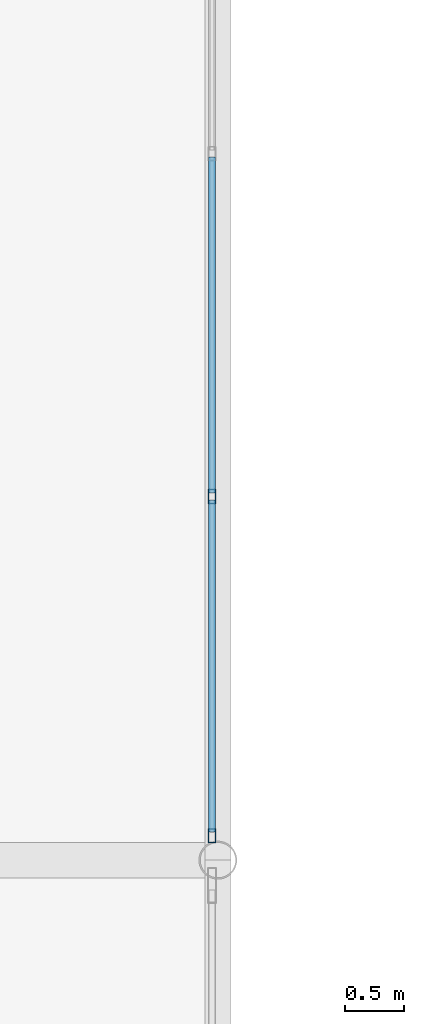
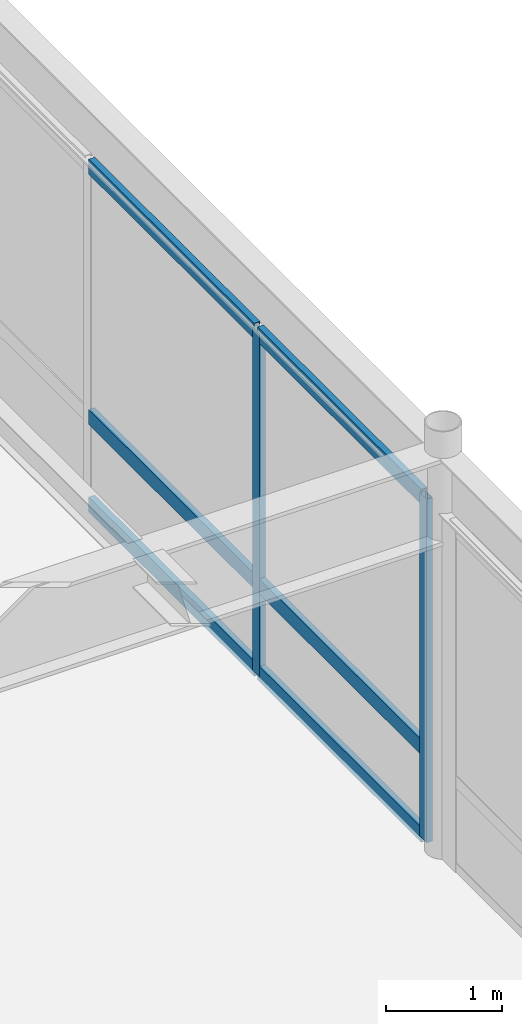
# One storey, part 65 of 127: 8 members, 1 element without a shape of its own.
"""IFC4 building model written with IfcOpenShell, lengths in metres."""

from ifc_helpers import new_model, si_unit, direction, frame, origin, origin_2d, place, context, subcontext, project, spatial, hollow_rectangle, extrude, material, layer, layer_set, material_profile, profile_set, type_object, element, aggregate, save


model = new_model("IFC4")

# Units and contexts
model_context = context("Model", 3, precision=1e-05, world=origin(), true_north=direction((0.0, 1.0)))
body_context = subcontext(model_context, "Body", "Model", "MODEL_VIEW")
ifc_project = project(units=[si_unit("LENGTHUNIT", "METRE"), si_unit("AREAUNIT", "SQUARE_METRE"), si_unit("VOLUMEUNIT", "CUBIC_METRE"), si_unit("PLANEANGLEUNIT", "RADIAN"), si_unit("MASSUNIT", "GRAM", prefix="KILO")], contexts=[model_context])

# Site, building, storey
site_placement = place(None, origin())
site = spatial("IfcSite", under=ifc_project, at=site_placement, CompositionType="ELEMENT")
building_placement = place(site_placement, origin())
building = spatial("IfcBuilding", under=site, at=building_placement, Name="Montelvaro Courts of Justice", CompositionType="ELEMENT")
storey_placement = place(building_placement, frame((0.0, 0.0, 5.39990234375)))
storey = spatial("IfcBuildingStorey", under=building, at=storey_placement, Name="L01", CompositionType="ELEMENT", Elevation=5.39990234375)

# Curtain wall, members
ifc_material = material(Name="Anodised aluminium EN AW-6063", Category="aluminium")
ifc_layer = layer(ifc_material, 0.159912109375)
ifc_layer_set = layer_set([ifc_layer], Name="Anodised aluminium EN AW-6063")
curtain_wall_type = type_object("IfcCurtainWallType", Name="CurtainWall_16_1165x418", PredefinedType="USERDEFINED", material=ifc_layer_set)
curtain_wall_placement = place(storey_placement, origin())
curtain_wall = element("IfcCurtainWall", 1, at=curtain_wall_placement, inside=storey, type_object=curtain_wall_type, Name="Curtain Wall CW-16 (L01)", ObjectType="CURTAIN WALL", PredefinedType="USERDEFINED")
ifc_material_profile_1 = material_profile(ifc_material, hollow_rectangle(XDim=0.06005859375, YDim=0.1201171875, WallThickness=0.00341796875, at=origin_2d()), Name="ALU-M 60x120")
ifc_profile_set_1 = profile_set([ifc_material_profile_1], Name="Anodised aluminium EN AW-6063")
member_type_1 = type_object("IfcMemberType", Name="CurtainWall_Mullion_60x120", PredefinedType="MULLION", material=ifc_profile_set_1)
member_1_placement = place(storey_placement, frame((80.949951171875, 66.20703125, 0.0), z_axis=(0.0, 0.0, 1.0), x_axis=(-1.0, 0.0, 0.0)))
member_1 = element("IfcMember", 2, at=member_1_placement, type_object=member_type_1, Name="CW-16 mullion 1", PredefinedType="MULLION", context=body_context, shape_type="SweptSolid", body=[
    extrude(hollow_rectangle(XDim=0.06005859375, YDim=0.1201171875, WallThickness=0.00341796875, at=origin_2d()), origin(), (0.0, 0.0, 1.0), 3.614990234375),
])
member_2_placement = place(storey_placement, frame((80.949951171875, 69.08837890625, 0.0), z_axis=(0.0, 0.0, 1.0), x_axis=(-1.0, 0.0, 0.0)))
member_2 = element("IfcMember", 3, at=member_2_placement, type_object=member_type_1, Name="CW-16 mullion 2", PredefinedType="MULLION", context=body_context, shape_type="SweptSolid", body=[
    extrude(hollow_rectangle(XDim=0.06005859375, YDim=0.1201171875, WallThickness=0.00341796875, at=origin_2d()), origin(), (0.0, 0.0, 1.0), 3.614990234375),
])
ifc_material_profile_2 = material_profile(ifc_material, hollow_rectangle(XDim=0.06005859375, YDim=0.159912109375, WallThickness=0.00439453125, at=origin_2d()), Name="ALU-T 60x160")
ifc_profile_set_2 = profile_set([ifc_material_profile_2], Name="Anodised aluminium EN AW-6063")
member_type_2 = type_object("IfcMemberType", Name="CurtainWall_Transom_60x160", PredefinedType="USERDEFINED", material=ifc_profile_set_2)
member_3_placement = place(storey_placement, frame((80.949951171875, 66.237060546875, 0.030029296875), z_axis=(0.0, 1.0, 0.0), x_axis=(-1.0, 0.0, 0.0)))
member_3 = element("IfcMember", 4, at=member_3_placement, type_object=member_type_2, Name="CW-16 transom 1.1", ObjectType="TRANSOM", PredefinedType="USERDEFINED", context=body_context, shape_type="SweptSolid", body=[
    extrude(hollow_rectangle(XDim=0.06005859375, YDim=0.159912109375, WallThickness=0.00439453125, at=origin_2d()), origin(), (0.0, 0.0, 1.0), 2.821533203125),
])
member_4_placement = place(storey_placement, frame((80.949951171875, 66.237060546875, 0.9501953125), z_axis=(0.0, 1.0, 0.0), x_axis=(-1.0, 0.0, 0.0)))
member_4 = element("IfcMember", 5, at=member_4_placement, type_object=member_type_2, Name="CW-16 transom 1.2", ObjectType="TRANSOM", PredefinedType="USERDEFINED", context=body_context, shape_type="SweptSolid", body=[
    extrude(hollow_rectangle(XDim=0.06005859375, YDim=0.159912109375, WallThickness=0.00439453125, at=origin_2d()), origin(), (0.0, 0.0, 1.0), 2.821533203125),
])
member_5_placement = place(storey_placement, frame((80.949951171875, 66.237060546875, 3.585205078125), z_axis=(0.0, 1.0, 0.0), x_axis=(-1.0, 0.0, 0.0)))
member_5 = element("IfcMember", 6, at=member_5_placement, type_object=member_type_2, Name="CW-16 transom 1.3", ObjectType="TRANSOM", PredefinedType="USERDEFINED", context=body_context, shape_type="SweptSolid", body=[
    extrude(hollow_rectangle(XDim=0.06005859375, YDim=0.159912109375, WallThickness=0.00439453125, at=origin_2d()), origin(), (0.0, 0.0, 1.0), 2.821533203125),
])
member_6_placement = place(storey_placement, frame((80.949951171875, 69.118408203125, 0.030029296875), z_axis=(0.0, 1.0, 0.0), x_axis=(-1.0, 0.0, 0.0)))
member_6 = element("IfcMember", 7, at=member_6_placement, type_object=member_type_2, Name="CW-16 transom 2.1", ObjectType="TRANSOM", PredefinedType="USERDEFINED", context=body_context, shape_type="SweptSolid", body=[
    extrude(hollow_rectangle(XDim=0.06005859375, YDim=0.159912109375, WallThickness=0.00439453125, at=origin_2d()), origin(), (0.0, 0.0, 1.0), 2.8515625),
])
member_7_placement = place(storey_placement, frame((80.949951171875, 69.118408203125, 0.9501953125), z_axis=(0.0, 1.0, 0.0), x_axis=(-1.0, 0.0, 0.0)))
member_7 = element("IfcMember", 8, at=member_7_placement, type_object=member_type_2, Name="CW-16 transom 2.2", ObjectType="TRANSOM", PredefinedType="USERDEFINED", context=body_context, shape_type="SweptSolid", body=[
    extrude(hollow_rectangle(XDim=0.06005859375, YDim=0.159912109375, WallThickness=0.00439453125, at=origin_2d()), origin(), (0.0, 0.0, 1.0), 2.8515625),
])
member_8_placement = place(storey_placement, frame((80.949951171875, 69.118408203125, 3.585205078125), z_axis=(0.0, 1.0, 0.0), x_axis=(-1.0, 0.0, 0.0)))
member_8 = element("IfcMember", 9, at=member_8_placement, type_object=member_type_2, Name="CW-16 transom 2.3", ObjectType="TRANSOM", PredefinedType="USERDEFINED", context=body_context, shape_type="SweptSolid", body=[
    extrude(hollow_rectangle(XDim=0.06005859375, YDim=0.159912109375, WallThickness=0.00439453125, at=origin_2d()), origin(), (0.0, 0.0, 1.0), 2.8515625),
])
aggregate(curtain_wall, [member_1, member_2, member_3, member_4, member_5, member_6, member_7, member_8])

save(model, "model.ifc")
